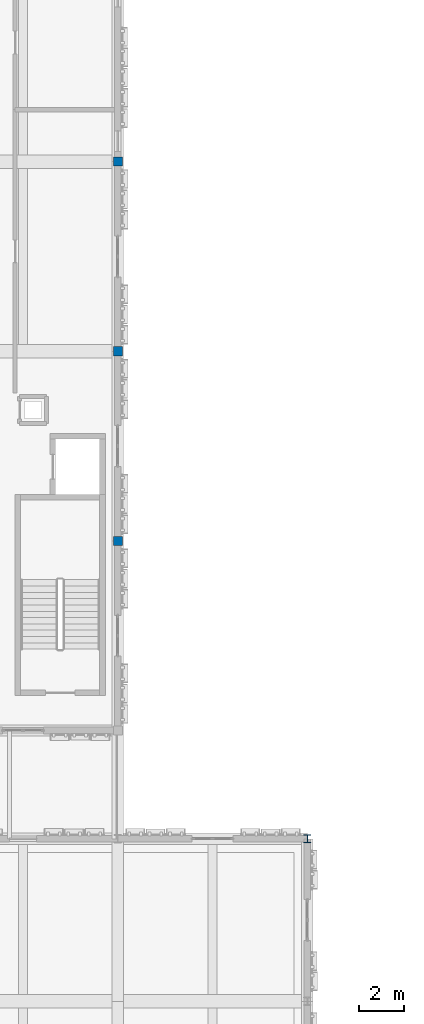
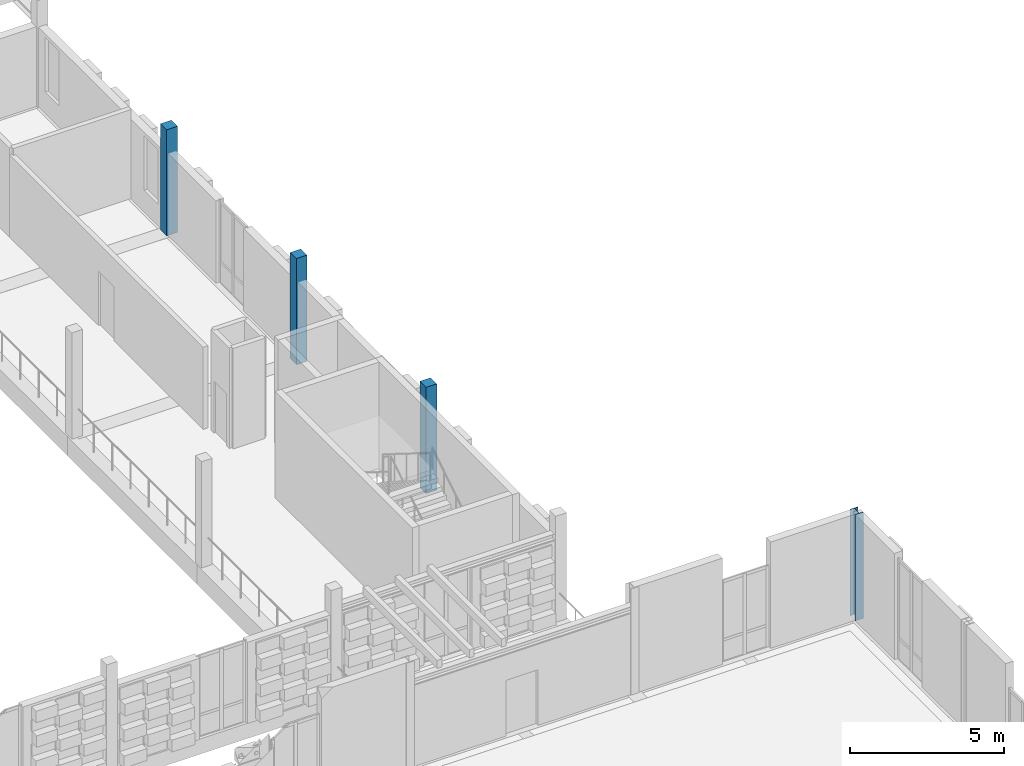
# One storey, part 4 of 99: 4 columns.
"""IFC4 building model written with IfcOpenShell, lengths in metres."""

from ifc_helpers import new_model, si_unit, direction, frame, origin, origin_2d, place, context, subcontext, project, spatial, rectangle, i_section, extrude, material, material_profile, profile_set, type_object, element, save


model = new_model("IFC4")

# Units and contexts
model_context = context("Model", 3, precision=1e-05, world=origin(), true_north=direction((0.0, 1.0)))
body_context = subcontext(model_context, "Body", "Model", "MODEL_VIEW")
ifc_project = project(units=[si_unit("LENGTHUNIT", "METRE"), si_unit("AREAUNIT", "SQUARE_METRE"), si_unit("VOLUMEUNIT", "CUBIC_METRE"), si_unit("PLANEANGLEUNIT", "RADIAN"), si_unit("MASSUNIT", "GRAM", prefix="KILO")], contexts=[model_context])

# Site, building, storey
site_placement = place(None, origin())
site = spatial("IfcSite", under=ifc_project, at=site_placement, CompositionType="ELEMENT")
building_placement = place(site_placement, origin())
building = spatial("IfcBuilding", under=site, at=building_placement, Name="Kahlenmark Community Centre", CompositionType="ELEMENT")
storey_placement = place(building_placement, frame((0.0, 0.0, 5.39990234375)))
storey = spatial("IfcBuildingStorey", under=building, at=storey_placement, Name="L01", CompositionType="ELEMENT", Elevation=5.39990234375)

# Columns
ifc_material_1 = material(Name="Glulam GL32h", Category="wood")
ifc_material_profile_1 = material_profile(ifc_material_1, rectangle(XDim=0.39990234375, YDim=0.39990234375, at=origin_2d()), Name="GL32h 400x400")
ifc_profile_set_1 = profile_set([ifc_material_profile_1], Name="Glulam GL32h")
column_type_1 = type_object("IfcColumnType", Name="CT-GL400", PredefinedType="COLUMN", material=ifc_profile_set_1)
for number, where, z_axis, x_axis, name in (
    (1, (37.60009765625, 50.800048828125, 0.0), (0.0, 0.0, 1.0), (1.0, 0.0, 0.0), "L01 column (37.6, 50.8)"),
    (2, (37.60009765625, 59.199951171875, 0.0), (0.0, 0.0, 1.0), (1.0, 0.0, 0.0), "L01 column (37.6, 59.2)"),
    (3, (37.60009765625, 67.60009765625, 0.0), (0.0, 0.0, 1.0), (1.0, 0.0, 0.0), "L01 column (37.6, 67.6)"),
):
    element("IfcColumn", number, at=place(storey_placement, frame(where, z_axis=z_axis, x_axis=x_axis)), inside=storey, type_object=column_type_1, Name=name, PredefinedType="COLUMN", context=body_context, shape_type="SweptSolid", body=[
        extrude(rectangle(XDim=0.39990234375, YDim=0.39990234375, at=origin_2d()), origin(), (0.0, 0.0, 1.0), 4.2001953125),
    ])
ifc_material_2 = material(Name="Steel S355", Category="steel")
ifc_material_profile_2 = material_profile(ifc_material_2, i_section(OverallWidth=0.300048828125, OverallDepth=0.360107421875, WebThickness=0.012451171875, FlangeThickness=0.0224609375, at=origin_2d()), Name="HEB 360")
ifc_profile_set_2 = profile_set([ifc_material_profile_2], Name="Steel S355")
column_type_2 = type_object("IfcColumnType", Name="CT-HEB360", PredefinedType="COLUMN", material=ifc_profile_set_2)
column_placement = place(storey_placement, frame((46.0, 37.60009765625, 0.0), z_axis=(0.0, 0.0, 1.0), x_axis=(1.0, 0.0, 0.0)))
element("IfcColumn", 4, at=column_placement, inside=storey, type_object=column_type_2, Name="L01 column (46.0, 37.6)", PredefinedType="COLUMN", context=body_context, shape_type="SweptSolid", body=[
    extrude(i_section(OverallWidth=0.300048828125, OverallDepth=0.360107421875, WebThickness=0.012451171875, FlangeThickness=0.0224609375, at=origin_2d()), origin(), (0.0, 0.0, 1.0), 4.2001953125),
])

save(model, "model.ifc")
